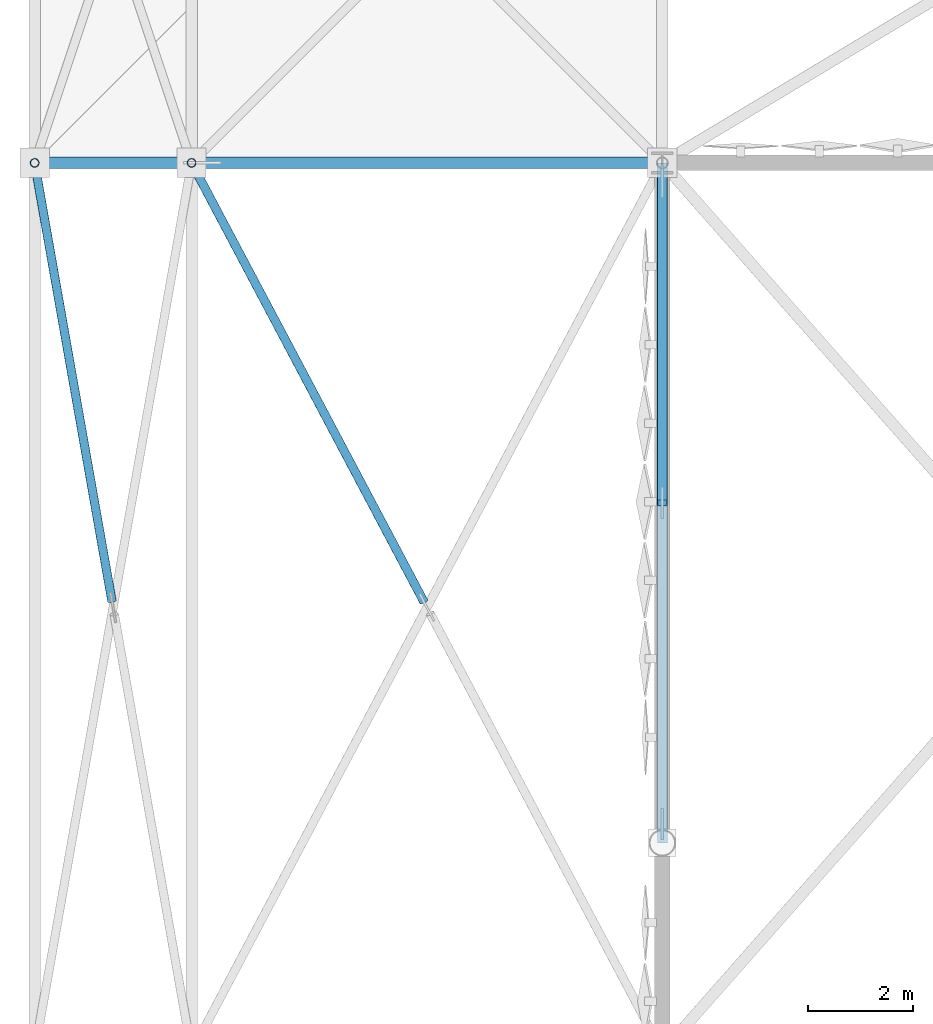
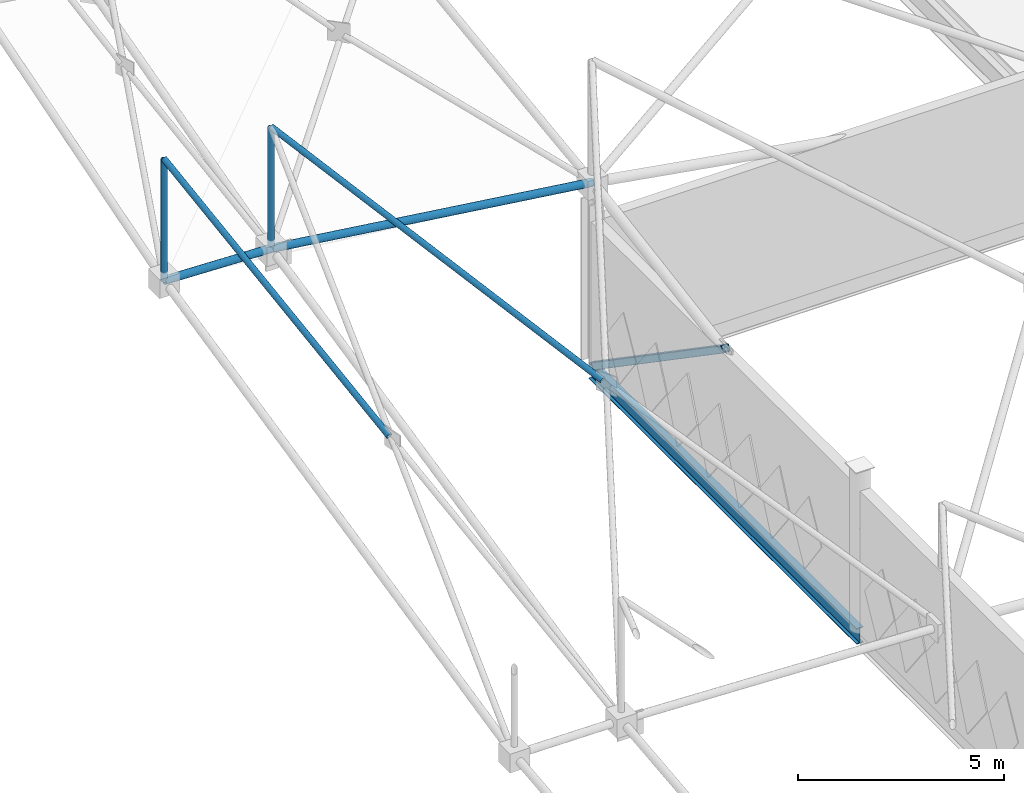
# One storey, part 83 of 224: 7 members, 1 beam.
"""IFC4 building model written with IfcOpenShell, lengths in metres."""

from ifc_helpers import new_model, si_unit, direction, frame, origin, origin_2d, place, context, subcontext, project, spatial, hollow_rectangle, hollow_circle, i_section, extrude, material, material_profile, profile_set, type_object, element, save


model = new_model("IFC4")

# Units and contexts
model_context = context("Model", 3, precision=1e-05, world=origin(), true_north=direction((0.0, 1.0)))
body_context = subcontext(model_context, "Body", "Model", "MODEL_VIEW")
ifc_project = project(units=[si_unit("LENGTHUNIT", "METRE"), si_unit("AREAUNIT", "SQUARE_METRE"), si_unit("VOLUMEUNIT", "CUBIC_METRE"), si_unit("PLANEANGLEUNIT", "RADIAN"), si_unit("MASSUNIT", "GRAM", prefix="KILO")], contexts=[model_context])

# Site, building, storey
site_placement = place(None, origin())
site = spatial("IfcSite", under=ifc_project, at=site_placement, CompositionType="ELEMENT")
building_placement = place(site_placement, origin())
building = spatial("IfcBuilding", under=site, at=building_placement, Name="Qamarlyn Nura Convention Centre", CompositionType="ELEMENT")
storey_placement = place(building_placement, frame((0.0, 0.0, 10.800048828125)))
storey = spatial("IfcBuildingStorey", under=building, at=storey_placement, Name="L02", CompositionType="ELEMENT", Elevation=10.800048828125)

# Beam
ifc_material_1 = material(Name="Steel ASTM A992", Category="steel")
ifc_material_profile_1 = material_profile(ifc_material_1, i_section(OverallWidth=0.193115234375, OverallDepth=0.466064453125, WebThickness=0.011474609375, FlangeThickness=0.01904296875, FilletRadius=0.012939453125, at=origin_2d()), Name="W460X97")
ifc_profile_set_1 = profile_set([ifc_material_profile_1], Name="Steel ASTM A992")
beam_type = type_object("IfcBeamType", Name="BM-SPAN-460", PredefinedType="SPANDREL", material=ifc_profile_set_1)
beam_placement = place(storey_placement, frame((0.0, 90.0, -0.233154296875), z_axis=(0.0, 1.0, 0.0), x_axis=(-1.0, 0.0, 0.0)))
element("IfcBeam", 1, at=beam_placement, inside=storey, type_object=beam_type, Name="L02 girder 1 L-M", PredefinedType="SPANDREL", context=body_context, shape_type="SweptSolid", body=[
    extrude(i_section(OverallWidth=0.193115234375, OverallDepth=0.466064453125, WebThickness=0.011474609375, FlangeThickness=0.01904296875, FilletRadius=0.012939453125, at=origin_2d()), origin(), (0.0, 0.0, 1.0), 13.0),
])

# Members
ifc_material_2 = material(Name="Steel ASTM A500 Grade C", Category="steel")
ifc_material_profile_2 = material_profile(ifc_material_2, hollow_rectangle(XDim=0.199951171875, YDim=0.199951171875, WallThickness=0.010009765625, InnerFilletRadius=0.010009765625, OuterFilletRadius=0.02001953125, at=origin_2d()), Name="HSS200X200X10")
ifc_profile_set_2 = profile_set([ifc_material_profile_2], Name="Steel ASTM A500 Grade C")
member_type_1 = type_object("IfcMemberType", Name="CBF-BRC-200", PredefinedType="BRACE", material=ifc_profile_set_2)
member_1_placement = place(storey_placement, frame((0.0, 102.820068359375, 0.0), z_axis=(0.0, -0.82471526629, 0.565548167311), x_axis=(1.0, 0.0, 0.0)))
element("IfcMember", 2, at=member_1_placement, inside=storey, type_object=member_type_1, Name="L02 SCBF chevron brace CBF-W2R", PredefinedType="BRACE", context=body_context, shape_type="SweptSolid", body=[
    extrude(hollow_rectangle(XDim=0.199951171875, YDim=0.199951171875, WallThickness=0.010009765625, InnerFilletRadius=0.010009765625, OuterFilletRadius=0.02001953125, at=origin_2d()), origin(), (0.0, 0.0, 1.0), 7.663330078125),
])
ifc_material_3 = material(Name="Pearl-white PVDF steel ASTM A500 Grade C", Category="steel")
ifc_material_profile_3 = material_profile(ifc_material_3, hollow_circle(Radius=0.109619140625, WallThickness=0.010009765625, at=origin_2d()), Name="CHS219.1X10")
ifc_profile_set_3 = profile_set([ifc_material_profile_3], Name="Pearl-white PVDF steel ASTM A500 Grade C")
member_type_2 = type_object("IfcMemberType", Name="SF-BC-EAVE", PredefinedType="CHORD", material=ifc_profile_set_3)
member_2_placement = place(storey_placement, frame((-12.0, 103.0, 6.607421875), z_axis=(0.999424686189, 0.0, -0.033916023286), x_axis=(0.0, 1.0, 0.0)))
element("IfcMember", 3, at=member_2_placement, inside=storey, type_object=member_type_2, Name="ROOF TRUSS space frame bottom chord X0-7", PredefinedType="CHORD", context=body_context, shape_type="SweptSolid", body=[
    extrude(hollow_circle(Radius=0.109619140625, WallThickness=0.010009765625, at=origin_2d()), origin(), (0.0, 0.0, 1.0), 3.001708984375),
])
member_3_placement = place(storey_placement, frame((-9.0, 103.0, 6.505615234375), z_axis=(0.991351473464, 0.0, -0.131233593492), x_axis=(0.0, 1.0, 0.0)))
element("IfcMember", 4, at=member_3_placement, inside=storey, type_object=member_type_2, Name="ROOF TRUSS space frame bottom chord X1-7", PredefinedType="CHORD", context=body_context, shape_type="SweptSolid", body=[
    extrude(hollow_circle(Radius=0.109619140625, WallThickness=0.010009765625, at=origin_2d()), origin(), (0.0, 0.0, 1.0), 9.07861328125),
])
ifc_material_profile_4 = material_profile(ifc_material_3, hollow_circle(Radius=0.084228515625, WallThickness=0.008056640625, at=origin_2d()), Name="CHS168.3X8")
ifc_profile_set_4 = profile_set([ifc_material_profile_4], Name="Pearl-white PVDF steel ASTM A500 Grade C")
member_type_3 = type_object("IfcMemberType", Name="SF-WEB-STD", PredefinedType="BRACE", material=ifc_profile_set_4)
member_4_placement = place(storey_placement, frame((-10.5224609375, 94.626708984375, 6.5556640625), z_axis=(-0.159671552419, 0.904867024669, 0.394614575268), x_axis=(-0.984785582183, -0.173773867784, 0.0)))
element("IfcMember", 5, at=member_4_placement, inside=storey, type_object=member_type_3, Name="ROOF TRUSS space frame split diagonal B2 0-6", PredefinedType="BRACE", context=body_context, shape_type="SweptSolid", body=[
    extrude(hollow_circle(Radius=0.084228515625, WallThickness=0.008056640625, at=origin_2d()), origin(), (0.0, 0.0, 1.0), 9.253662109375),
])
member_5_placement = place(storey_placement, frame((-12.0, 103.0, 6.607421875), z_axis=(0.0, 0.0, 1.0), x_axis=(1.0, 0.0, 0.0)))
element("IfcMember", 6, at=member_5_placement, inside=storey, type_object=member_type_3, Name="ROOF TRUSS space frame vertical 0-7", PredefinedType="BRACE", context=body_context, shape_type="SweptSolid", body=[
    extrude(hollow_circle(Radius=0.084228515625, WallThickness=0.008056640625, at=origin_2d()), origin(), (0.0, 0.0, 1.0), 3.599853515625),
])
member_6_placement = place(storey_placement, frame((-4.560791015625, 94.614990234375, 6.135498046875), z_axis=(-0.431627190707, 0.815279979367, 0.386026583912), x_axis=(-0.883784160758, -0.46789481424, 0.0)))
element("IfcMember", 7, at=member_6_placement, inside=storey, type_object=member_type_3, Name="ROOF TRUSS space frame split diagonal B2 1-6", PredefinedType="BRACE", context=body_context, shape_type="SweptSolid", body=[
    extrude(hollow_circle(Radius=0.084228515625, WallThickness=0.008056640625, at=origin_2d()), origin(), (0.0, 0.0, 1.0), 10.284912109375),
])
member_7_placement = place(storey_placement, frame((-9.0, 103.0, 6.505615234375), z_axis=(0.0, 0.0, 1.0), x_axis=(1.0, 0.0, 0.0)))
element("IfcMember", 8, at=member_7_placement, inside=storey, type_object=member_type_3, Name="ROOF TRUSS space frame vertical 1-7", PredefinedType="BRACE", context=body_context, shape_type="SweptSolid", body=[
    extrude(hollow_circle(Radius=0.084228515625, WallThickness=0.008056640625, at=origin_2d()), origin(), (0.0, 0.0, 1.0), 3.60009765625),
])

save(model, "model.ifc")
